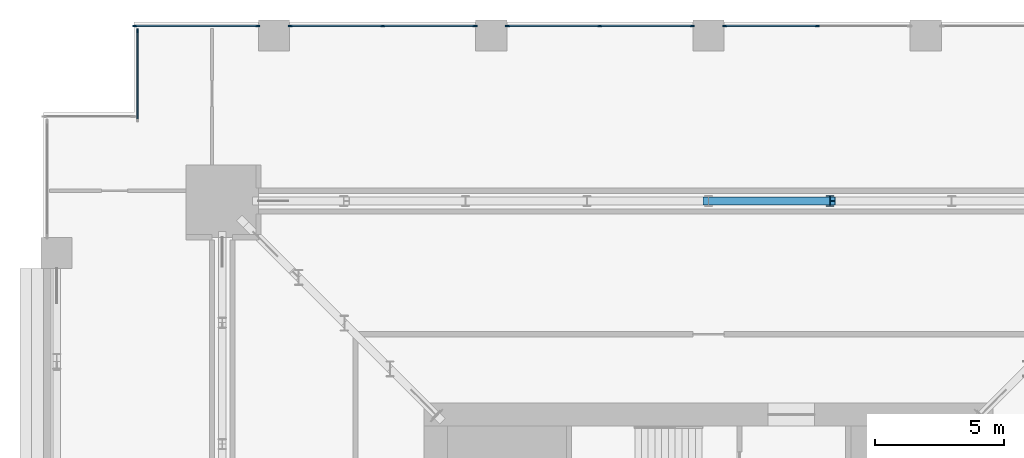
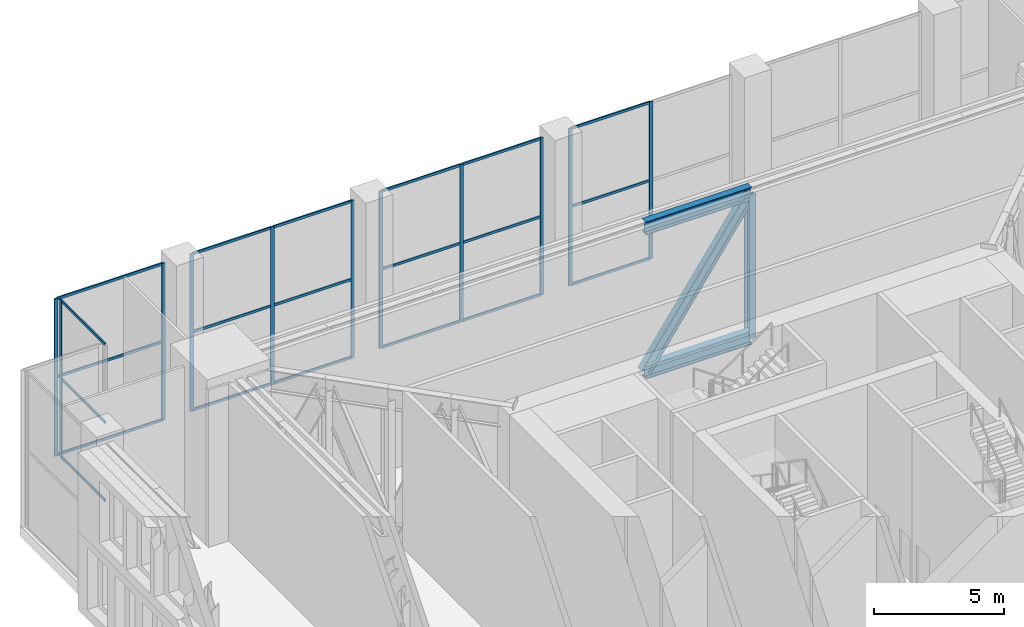
# One storey, part 8 of 21: 36 members, 5 elements without a shape of their own.
"""IFC4 building model written with IfcOpenShell, lengths in metres."""

import ifcopenshell
import ifcopenshell.guid

model = None  # the IFC model being written
_history = None  # IfcOwnerHistory: only IFC2X3 demands one
_inside = {}  # id of a spatial element -> (the spatial element, [elements in it])
_under = {}  # id of a project, library or spatial element -> (it, [spatial elements below it])
_declared = {}  # id of a project -> (the project, [libraries it declares])
_typed = {}  # id of a type object -> (the type object, [elements of that type])
_made_of = {}  # id of a material, layer set ... -> (it, [elements and type objects made of it])


def new_model(schema):
    """Start an empty IFC model of exactly this schema.

    Asked for "IFC4X3", IfcOpenShell would pick the latest addendum, in which some entities
    have other attributes; the version numbers below select the first issue.
    IFC2X3 requires an IfcOwnerHistory on every rooted entity: one is made here for all.
    """
    global model, _history
    if schema == "IFC4X3":
        model = ifcopenshell.file(schema_version=(4, 3, 0, 0))
    else:
        model = ifcopenshell.file(schema=schema)
    _inside.clear()
    _under.clear()
    _declared.clear()
    _typed.clear()
    _made_of.clear()
    _history = None
    if model.schema == "IFC2X3":
        org = make("IfcOrganization", Name="unknown")
        user = make(
            "IfcPersonAndOrganization",
            ThePerson=make("IfcPerson", FamilyName="unknown"),
            TheOrganization=org,
        )
        app = make(
            "IfcApplication",
            ApplicationDeveloper=org,
            Version="unknown",
            ApplicationFullName="unknown",
            ApplicationIdentifier="unknown",
        )
        _history = make(
            "IfcOwnerHistory",
            OwningUser=user,
            OwningApplication=app,
            ChangeAction="ADDED",
            CreationDate=0,
        )
    return model


def make(cls, **values):
    """One entity of the class cls with the attributes given. An attribute that is None is left unset."""
    return model.create_entity(
        cls, **{name: value for name, value in values.items() if value is not None}
    )


def rooted(cls, **values):
    """An entity with a GlobalId (a new one), such as an element, a storey or a relation."""
    return make(cls, GlobalId=ifcopenshell.guid.new(), OwnerHistory=_history, **values)


def si_unit(unit_type, name, prefix=None):
    """IfcSIUnit, for example si_unit("LENGTHUNIT", "METRE", prefix="MILLI")."""
    return make("IfcSIUnit", UnitType=unit_type, Prefix=prefix, Name=name)


def assignment(units):
    """IfcUnitAssignment: the units of a project."""
    return None if units is None else make("IfcUnitAssignment", Units=units)


def point(xyz):
    """IfcCartesianPoint."""
    return None if xyz is None else make("IfcCartesianPoint", Coordinates=xyz)


def direction(xyz):
    """IfcDirection."""
    return None if xyz is None else make("IfcDirection", DirectionRatios=xyz)


def frame(location, z_axis=None, x_axis=None):
    """IfcAxis2Placement3D, a coordinate frame: its origin and axes. An axis left out is left unset."""
    return make(
        "IfcAxis2Placement3D",
        Location=point(location),
        Axis=direction(z_axis),
        RefDirection=direction(x_axis),
    )


def frame_2d(location, x_axis=None):
    """IfcAxis2Placement2D, a coordinate frame in the plane: its origin and x axis."""
    return make(
        "IfcAxis2Placement2D", Location=point(location), RefDirection=direction(x_axis)
    )


def origin():
    """The frame at (0, 0, 0) with its axes left unset."""
    return frame((0.0, 0.0, 0.0))


def origin_2d():
    """The frame at (0, 0) in the plane with its x axis left unset."""
    return frame_2d((0.0, 0.0))


def place(relative_to, where):
    """IfcLocalPlacement: puts the frame where relative to a parent placement (None: the world)."""
    return make(
        "IfcLocalPlacement", PlacementRelTo=relative_to, RelativePlacement=where
    )


def context(
    kind, dimensions, precision=None, world=None, true_north=None, identifier=None
):
    """IfcGeometricRepresentationContext, for example the 3D "Model" context."""
    return make(
        "IfcGeometricRepresentationContext",
        ContextIdentifier=identifier,
        ContextType=kind,
        CoordinateSpaceDimension=dimensions,
        Precision=precision,
        WorldCoordinateSystem=world,
        TrueNorth=true_north,
    )


def subcontext(parent, identifier, kind, view, scale=None):
    """IfcGeometricRepresentationSubContext, for example "Body" below "Model"."""
    return make(
        "IfcGeometricRepresentationSubContext",
        ContextIdentifier=identifier,
        ContextType=kind,
        ParentContext=parent,
        TargetScale=scale,
        TargetView=view,
    )


def project(units=None, contexts=None):
    """IfcProject with its units and contexts."""
    return rooted(
        "IfcProject",
        Name="project",
        RepresentationContexts=contexts,
        UnitsInContext=assignment(units),
    )


def spatial(cls, under=None, at=None, **own):
    """A site, building, storey or space (cls), placed at a placement, below another one or the project."""
    s = rooted(cls, ObjectPlacement=at, **own)
    if under is not None:
        _under.setdefault(under.id(), (under, []))[1].append(s)
    return s


def profile(cls, at=None, kind="AREA", **sizes):
    """A parametric profile (cls). Its sizes go by their IFC names, for example OverallWidth=200.0."""
    return make(cls, ProfileType=kind, Position=at, **sizes)


def rectangle(**sizes):
    """IfcRectangleProfileDef."""
    return profile("IfcRectangleProfileDef", **sizes)


def i_section(**sizes):
    """IfcIShapeProfileDef."""
    return profile("IfcIShapeProfileDef", **sizes)


def extrude(swept, where, along, depth):
    """IfcExtrudedAreaSolid: the profile swept, set in the frame where, extruded along a direction by depth."""
    return make(
        "IfcExtrudedAreaSolid",
        SweptArea=swept,
        Position=where,
        ExtrudedDirection=direction(along),
        Depth=depth,
    )


def shape(context_of_items, identifier, shape_type, items):
    """IfcShapeRepresentation: the items that make up one representation, for example the "Body"."""
    return make(
        "IfcShapeRepresentation",
        ContextOfItems=context_of_items,
        RepresentationIdentifier=identifier,
        RepresentationType=shape_type,
        Items=items,
    )


def material(Name=None, Category=None):
    """IfcMaterial."""
    return make("IfcMaterial", Name=Name, Category=Category)


def material_profile(
    of_material, cross_section, Name=None, Category=None, Priority=None
):
    """IfcMaterialProfile: a cross section and its material."""
    return make(
        "IfcMaterialProfile",
        Name=Name,
        Material=of_material,
        Profile=cross_section,
        Priority=Priority,
        Category=Category,
    )


def profile_set(profiles, Name=None, composite=None):
    """IfcMaterialProfileSet."""
    return make(
        "IfcMaterialProfileSet",
        Name=Name,
        MaterialProfiles=profiles,
        CompositeProfile=composite,
    )


def made_of(thing, what):
    """Note that an element or type object is made of a material, layer set ...; save() writes the relation."""
    if what is not None:
        _made_of.setdefault(what.id(), (what, []))[1].append(thing)
    return thing


def type_object(cls, material=None, **own):
    """A type object (cls), such as IfcWallType, which elements share."""
    return made_of(rooted(cls, **own), material)


def element(
    cls,
    number,
    at=None,
    inside=None,
    cuts=None,
    type_object=None,
    material=None,
    context=None,
    identifier="Body",
    shape_type=None,
    held_by="IfcProductDefinitionShape",
    body=None,
    shapes=None,
    **own,
):
    """One element of the class cls, such as IfcWall. Its Tag is "e" and its number.

    at: its placement. inside: the storey or other place that contains it. cuts: it is an
    opening in that element (IfcRelVoidsElement). A single representation is given by context,
    identifier, shape_type and body (its items); several are given by shapes. held_by: the class
    of the entity that holds the representations. save() writes the other relations.
    """
    e = rooted(cls, Tag="e%d" % number, ObjectPlacement=at, **own)
    if body is not None:
        shapes = [shape(context, identifier, shape_type, body)]
    if shapes is not None:
        e.Representation = make(held_by, Representations=shapes)
    if inside is not None:
        _inside.setdefault(inside.id(), (inside, []))[1].append(e)
    if cuts is not None:
        rooted(
            "IfcRelVoidsElement", RelatingBuildingElement=cuts, RelatedOpeningElement=e
        )
    if type_object is not None:
        _typed.setdefault(type_object.id(), (type_object, []))[1].append(e)
    return made_of(e, material)


def aggregate(whole, parts):
    """IfcRelAggregates: a whole, such as a stair, and the parts it consists of."""
    return rooted("IfcRelAggregates", RelatingObject=whole, RelatedObjects=parts)


def save(model, path):
    """Write the relations noted so far, then the file.

    IfcRelAggregates (storeys below a building ...), IfcRelContainedInSpatialStructure (elements
    in a storey), IfcRelDefinesByType, IfcRelAssociatesMaterial and IfcRelDeclares: one each for
    every whole, place, type object, material and project.
    """
    for whole, parts in _under.values():
        aggregate(whole, parts)
    for where, things in _inside.values():
        rooted(
            "IfcRelContainedInSpatialStructure",
            RelatedElements=things,
            RelatingStructure=where,
        )
    for kind, things in _typed.values():
        rooted("IfcRelDefinesByType", RelatedObjects=things, RelatingType=kind)
    for what, things in _made_of.values():
        rooted("IfcRelAssociatesMaterial", RelatedObjects=things, RelatingMaterial=what)
    for by, libraries in _declared.values():
        rooted("IfcRelDeclares", RelatingContext=by, RelatedDefinitions=libraries)
    model.write(path)


model = new_model("IFC4")

# Units and contexts
model_context = context("Model", 3, precision=1e-05, world=origin(), true_north=direction((0.0, 1.0)))
body_context = subcontext(model_context, "Body", "Model", "MODEL_VIEW")
ifc_project = project(units=[si_unit("LENGTHUNIT", "METRE"), si_unit("AREAUNIT", "SQUARE_METRE"), si_unit("VOLUMEUNIT", "CUBIC_METRE"), si_unit("PLANEANGLEUNIT", "RADIAN"), si_unit("MASSUNIT", "GRAM", prefix="KILO")], contexts=[model_context])

# Site, building, storey
site_placement = place(None, origin())
site = spatial("IfcSite", under=ifc_project, at=site_placement, CompositionType="ELEMENT")
building_placement = place(site_placement, origin())
building = spatial("IfcBuilding", under=site, at=building_placement, Name="Khepri Terraces", CompositionType="ELEMENT")
storey_placement = place(building_placement, frame((0.0, 0.0, 126.0)))
storey = spatial("IfcBuildingStorey", under=building, at=storey_placement, Name="L30", CompositionType="ELEMENT", Elevation=126.0)

# Members
ifc_material_1 = material(Name="Steel S355", Category="steel")
ifc_material_profile_1 = material_profile(ifc_material_1, i_section(OverallWidth=0.304931640625, OverallDepth=0.6201171875, WebThickness=0.02099609375, FlangeThickness=0.0400390625, FilletRadius=0.027099609375, at=origin_2d()), Name="Steel S355", Category="steel")
ifc_profile_set_1 = profile_set([ifc_material_profile_1], Name="Steel S355")
member_type_1 = type_object("IfcMemberType", Name="Belt truss chord HEM 600", PredefinedType="CHORD", material=ifc_profile_set_1)
for number, where, z_axis, x_axis, name in (
    (1, (4.699951171875, 18.800048828125, 0.31005859375), (-1.0, 0.0, 0.0), (0.0, -1.0, 0.0), "Belt truss chord BT-30-N bottom 4"),
    (2, (4.699951171875, 18.800048828125, 7.070068359375), (-1.0, 0.0, 0.0), (0.0, -1.0, 0.0), "Belt truss chord BT-30-N top 4"),
):
    element("IfcMember", number, at=place(storey_placement, frame(where, z_axis=z_axis, x_axis=x_axis)), inside=storey, type_object=member_type_1, Name=name, PredefinedType="CHORD", context=body_context, shape_type="SweptSolid", body=[
        extrude(i_section(OverallWidth=0.304931640625, OverallDepth=0.6201171875, WebThickness=0.02099609375, FlangeThickness=0.0400390625, FilletRadius=0.027099609375, at=origin_2d()), origin(), (0.0, 0.0, 1.0), 4.699951171875),
    ])
ifc_material_profile_2 = material_profile(ifc_material_1, i_section(OverallWidth=0.300048828125, OverallDepth=0.5, WebThickness=0.014404296875, FlangeThickness=0.028076171875, FilletRadius=0.027099609375, at=origin_2d()), Name="Steel S355", Category="steel")
ifc_profile_set_2 = profile_set([ifc_material_profile_2], Name="Steel S355")
member_type_2 = type_object("IfcMemberType", Name="Belt truss diagonal HEB 500", PredefinedType="BRACE", material=ifc_profile_set_2)
member_1_placement = place(storey_placement, frame((4.699951171875, 18.800048828125, 7.070068359375), z_axis=(-0.570846397071, 0.0, -0.82105687437), x_axis=(0.0, -1.0, 0.0)))
element("IfcMember", 3, at=member_1_placement, inside=storey, type_object=member_type_2, Name="Belt truss diagonal BT-30-N 4", PredefinedType="BRACE", context=body_context, shape_type="SweptSolid", body=[
    extrude(i_section(OverallWidth=0.300048828125, OverallDepth=0.5, WebThickness=0.014404296875, FlangeThickness=0.028076171875, FilletRadius=0.027099609375, at=origin_2d()), origin(), (0.0, 0.0, 1.0), 8.2333984375),
])
ifc_material_profile_3 = material_profile(ifc_material_1, i_section(OverallWidth=0.300048828125, OverallDepth=0.39990234375, WebThickness=0.013427734375, FlangeThickness=0.02392578125, FilletRadius=0.027099609375, at=origin_2d()), Name="Steel S355", Category="steel")
ifc_profile_set_3 = profile_set([ifc_material_profile_3], Name="Steel S355")
member_type_3 = type_object("IfcMemberType", Name="Belt truss post HEB 400", PredefinedType="POST", material=ifc_profile_set_3)
member_2_placement = place(storey_placement, frame((4.699951171875, 18.800048828125, 0.31005859375), z_axis=(0.0, 0.0, 1.0), x_axis=(1.0, 0.0, 0.0)))
element("IfcMember", 4, at=member_2_placement, inside=storey, type_object=member_type_3, Name="Belt truss post BT-30-N 3", PredefinedType="POST", context=body_context, shape_type="SweptSolid", body=[
    extrude(i_section(OverallWidth=0.300048828125, OverallDepth=0.39990234375, WebThickness=0.013427734375, FlangeThickness=0.02392578125, FilletRadius=0.027099609375, at=origin_2d()), origin(), (0.0, 0.0, 1.0), 6.760009765625),
])

# Curtain wall, members
ifc_material_2 = material(Name="Anodised aluminium bronze curtain wall", Category="aluminium")
curtain_wall_type = type_object("IfcCurtainWallType", Name="CW-SYS3-SKY", PredefinedType="NOTDEFINED", material=ifc_material_2)
curtain_wall_1_placement = place(storey_placement, origin())
curtain_wall_1 = element("IfcCurtainWall", 5, at=curtain_wall_1_placement, inside=storey, type_object=curtain_wall_type, Name="Curtain wall CW3 L30 N", PredefinedType="NOTDEFINED")
ifc_material_3 = material(Name="Anodised aluminium bronze", Category="aluminium")
ifc_material_profile_4 = material_profile(ifc_material_3, rectangle(XDim=0.06005859375, YDim=0.159912109375, at=origin_2d()), Name="Anodised aluminium bronze", Category="aluminium")
ifc_profile_set_4 = profile_set([ifc_material_profile_4], Name="Anodised aluminium bronze")
member_type_4 = type_object("IfcMemberType", Name="CW-MULLION-60x160", PredefinedType="MULLION", material=ifc_profile_set_4)
member_3_placement = place(storey_placement, frame((4.199951171875, 25.570068359375, 0.0), z_axis=(0.0, 0.0, 1.0), x_axis=(0.0, -1.0, 0.0)))
member_3 = element("IfcMember", 6, at=member_3_placement, type_object=member_type_4, Name="CW3 mullion 2", PredefinedType="MULLION", context=body_context, shape_type="SweptSolid", body=[
    extrude(rectangle(XDim=0.06005859375, YDim=0.159912109375, at=origin_2d()), origin(), (0.0, 0.0, 1.0), 7.3798828125),
])
member_4_placement = place(storey_placement, frame((0.6298828125, 25.570068359375, 0.0), z_axis=(0.0, 0.0, 1.0), x_axis=(0.0, -1.0, 0.0)))
member_4 = element("IfcMember", 7, at=member_4_placement, type_object=member_type_4, Name="CW3 mullion 3", PredefinedType="MULLION", context=body_context, shape_type="SweptSolid", body=[
    extrude(rectangle(XDim=0.06005859375, YDim=0.159912109375, at=origin_2d()), origin(), (0.0, 0.0, 1.0), 7.3798828125),
])

curtain_wall_2_placement = place(storey_placement, origin())
curtain_wall_2 = element("IfcCurtainWall", 8, at=curtain_wall_2_placement, inside=storey, type_object=curtain_wall_type, Name="Curtain wall CW3 L30 N", PredefinedType="NOTDEFINED")
member_5_placement = place(storey_placement, frame((-0.6298828125, 25.570068359375, 0.0), z_axis=(0.0, 0.0, 1.0), x_axis=(0.0, -1.0, 0.0)))
member_5 = element("IfcMember", 9, at=member_5_placement, type_object=member_type_4, Name="CW3 mullion 1", PredefinedType="MULLION", context=body_context, shape_type="SweptSolid", body=[
    extrude(rectangle(XDim=0.06005859375, YDim=0.159912109375, at=origin_2d()), origin(), (0.0, 0.0, 1.0), 7.3798828125),
])
member_6_placement = place(storey_placement, frame((-4.199951171875, 25.570068359375, 0.0), z_axis=(0.0, 0.0, 1.0), x_axis=(0.0, -1.0, 0.0)))
member_6 = element("IfcMember", 10, at=member_6_placement, type_object=member_type_4, Name="CW3 mullion 2", PredefinedType="MULLION", context=body_context, shape_type="SweptSolid", body=[
    extrude(rectangle(XDim=0.06005859375, YDim=0.159912109375, at=origin_2d()), origin(), (0.0, 0.0, 1.0), 7.3798828125),
])
member_7_placement = place(storey_placement, frame((-7.77001953125, 25.570068359375, 0.0), z_axis=(0.0, 0.0, 1.0), x_axis=(0.0, -1.0, 0.0)))
member_7 = element("IfcMember", 11, at=member_7_placement, type_object=member_type_4, Name="CW3 mullion 3", PredefinedType="MULLION", context=body_context, shape_type="SweptSolid", body=[
    extrude(rectangle(XDim=0.06005859375, YDim=0.159912109375, at=origin_2d()), origin(), (0.0, 0.0, 1.0), 7.3798828125),
])

curtain_wall_3_placement = place(storey_placement, origin())
curtain_wall_3 = element("IfcCurtainWall", 12, at=curtain_wall_3_placement, inside=storey, type_object=curtain_wall_type, Name="Curtain wall CW3 L30 N", PredefinedType="NOTDEFINED")
member_8_placement = place(storey_placement, frame((-9.030029296875, 25.570068359375, 0.0), z_axis=(0.0, 0.0, 1.0), x_axis=(0.0, -1.0, 0.0)))
member_8 = element("IfcMember", 13, at=member_8_placement, type_object=member_type_4, Name="CW3 mullion 1", PredefinedType="MULLION", context=body_context, shape_type="SweptSolid", body=[
    extrude(rectangle(XDim=0.06005859375, YDim=0.159912109375, at=origin_2d()), origin(), (0.0, 0.0, 1.0), 7.3798828125),
])
member_9_placement = place(storey_placement, frame((-12.60009765625, 25.570068359375, 0.0), z_axis=(0.0, 0.0, 1.0), x_axis=(0.0, -1.0, 0.0)))
member_9 = element("IfcMember", 14, at=member_9_placement, type_object=member_type_4, Name="CW3 mullion 2", PredefinedType="MULLION", context=body_context, shape_type="SweptSolid", body=[
    extrude(rectangle(XDim=0.06005859375, YDim=0.159912109375, at=origin_2d()), origin(), (0.0, 0.0, 1.0), 7.3798828125),
])
member_10_placement = place(storey_placement, frame((-16.169921875, 25.570068359375, 0.0), z_axis=(0.0, 0.0, 1.0), x_axis=(0.0, -1.0, 0.0)))
member_10 = element("IfcMember", 15, at=member_10_placement, type_object=member_type_4, Name="CW3 mullion 3", PredefinedType="MULLION", context=body_context, shape_type="SweptSolid", body=[
    extrude(rectangle(XDim=0.06005859375, YDim=0.159912109375, at=origin_2d()), origin(), (0.0, 0.0, 1.0), 7.3798828125),
])

curtain_wall_4_placement = place(storey_placement, origin())
curtain_wall_4 = element("IfcCurtainWall", 16, at=curtain_wall_4_placement, inside=storey, type_object=curtain_wall_type, Name="Curtain wall CW3 L30 N", PredefinedType="NOTDEFINED")
member_11_placement = place(storey_placement, frame((-17.429931640625, 25.570068359375, 0.0), z_axis=(0.0, 0.0, 1.0), x_axis=(0.0, -1.0, 0.0)))
member_11 = element("IfcMember", 17, at=member_11_placement, type_object=member_type_4, Name="CW3 mullion 1", PredefinedType="MULLION", context=body_context, shape_type="SweptSolid", body=[
    extrude(rectangle(XDim=0.06005859375, YDim=0.159912109375, at=origin_2d()), origin(), (0.0, 0.0, 1.0), 7.3798828125),
])
member_12_placement = place(storey_placement, frame((-22.18994140625, 25.570068359375, 0.0), z_axis=(0.0, 0.0, 1.0), x_axis=(0.0, -1.0, 0.0)))
member_12 = element("IfcMember", 18, at=member_12_placement, type_object=member_type_4, Name="CW3 mullion 2", PredefinedType="MULLION", context=body_context, shape_type="SweptSolid", body=[
    extrude(rectangle(XDim=0.06005859375, YDim=0.159912109375, at=origin_2d()), origin(), (0.0, 0.0, 1.0), 7.3798828125),
])

# Curtain wall, member
curtain_wall_5_placement = place(storey_placement, origin())
curtain_wall_5 = element("IfcCurtainWall", 19, at=curtain_wall_5_placement, inside=storey, type_object=curtain_wall_type, Name="Curtain wall CW3 L30 W", PredefinedType="NOTDEFINED")
member_13_placement = place(storey_placement, frame((-22.070068359375, 25.389892578125, 0.0), z_axis=(0.0, 0.0, 1.0), x_axis=(1.0, 0.0, 0.0)))
member_13 = element("IfcMember", 20, at=member_13_placement, type_object=member_type_4, Name="CW3 mullion 1", PredefinedType="MULLION", context=body_context, shape_type="SweptSolid", body=[
    extrude(rectangle(XDim=0.06005859375, YDim=0.159912109375, at=origin_2d()), origin(), (0.0, 0.0, 1.0), 7.3798828125),
])

# Member
ifc_material_profile_5 = material_profile(ifc_material_3, rectangle(XDim=0.06005859375, YDim=0.1201171875, at=origin_2d()), Name="Anodised aluminium bronze", Category="aluminium")
ifc_profile_set_5 = profile_set([ifc_material_profile_5], Name="Anodised aluminium bronze")
member_type_5 = type_object("IfcMemberType", Name="CW-TRANSOM-60x120", PredefinedType="USERDEFINED", material=ifc_profile_set_5)
member_14_placement = place(storey_placement, frame((4.169921875, 25.570068359375, 0.030029296875), z_axis=(-1.0, 0.0, 0.0), x_axis=(0.0, -1.0, 0.0)))
member_14 = element("IfcMember", 21, at=member_14_placement, type_object=member_type_5, Name="CW3 transom 2.1", ObjectType="TRANSOM", PredefinedType="USERDEFINED", context=body_context, shape_type="SweptSolid", body=[
    extrude(rectangle(XDim=0.06005859375, YDim=0.1201171875, at=origin_2d()), origin(), (0.0, 0.0, 1.0), 3.510009765625),
])

member_15_placement = place(storey_placement, frame((4.169921875, 25.570068359375, 3.68994140625), z_axis=(-1.0, 0.0, 0.0), x_axis=(0.0, -1.0, 0.0)))
member_15 = element("IfcMember", 22, at=member_15_placement, type_object=member_type_5, Name="CW3 transom 2.2", ObjectType="TRANSOM", PredefinedType="USERDEFINED", context=body_context, shape_type="SweptSolid", body=[
    extrude(rectangle(XDim=0.06005859375, YDim=0.1201171875, at=origin_2d()), origin(), (0.0, 0.0, 1.0), 3.510009765625),
])

member_16_placement = place(storey_placement, frame((4.169921875, 25.570068359375, 7.35009765625), z_axis=(-1.0, 0.0, 0.0), x_axis=(0.0, -1.0, 0.0)))
member_16 = element("IfcMember", 23, at=member_16_placement, type_object=member_type_5, Name="CW3 transom 2.3", ObjectType="TRANSOM", PredefinedType="USERDEFINED", context=body_context, shape_type="SweptSolid", body=[
    extrude(rectangle(XDim=0.06005859375, YDim=0.1201171875, at=origin_2d()), origin(), (0.0, 0.0, 1.0), 3.510009765625),
])

aggregate(curtain_wall_1, [member_3, member_4, member_14, member_15, member_16])

member_17_placement = place(storey_placement, frame((-0.659912109375, 25.570068359375, 0.030029296875), z_axis=(-1.0, 0.0, 0.0), x_axis=(0.0, -1.0, 0.0)))
member_17 = element("IfcMember", 24, at=member_17_placement, type_object=member_type_5, Name="CW3 transom 1.1", ObjectType="TRANSOM", PredefinedType="USERDEFINED", context=body_context, shape_type="SweptSolid", body=[
    extrude(rectangle(XDim=0.06005859375, YDim=0.1201171875, at=origin_2d()), origin(), (0.0, 0.0, 1.0), 3.510009765625),
])

member_18_placement = place(storey_placement, frame((-0.659912109375, 25.570068359375, 3.68994140625), z_axis=(-1.0, 0.0, 0.0), x_axis=(0.0, -1.0, 0.0)))
member_18 = element("IfcMember", 25, at=member_18_placement, type_object=member_type_5, Name="CW3 transom 1.2", ObjectType="TRANSOM", PredefinedType="USERDEFINED", context=body_context, shape_type="SweptSolid", body=[
    extrude(rectangle(XDim=0.06005859375, YDim=0.1201171875, at=origin_2d()), origin(), (0.0, 0.0, 1.0), 3.510009765625),
])

member_19_placement = place(storey_placement, frame((-0.659912109375, 25.570068359375, 7.35009765625), z_axis=(-1.0, 0.0, 0.0), x_axis=(0.0, -1.0, 0.0)))
member_19 = element("IfcMember", 26, at=member_19_placement, type_object=member_type_5, Name="CW3 transom 1.3", ObjectType="TRANSOM", PredefinedType="USERDEFINED", context=body_context, shape_type="SweptSolid", body=[
    extrude(rectangle(XDim=0.06005859375, YDim=0.1201171875, at=origin_2d()), origin(), (0.0, 0.0, 1.0), 3.510009765625),
])

member_20_placement = place(storey_placement, frame((-4.22998046875, 25.570068359375, 0.030029296875), z_axis=(-1.0, 0.0, 0.0), x_axis=(0.0, -1.0, 0.0)))
member_20 = element("IfcMember", 27, at=member_20_placement, type_object=member_type_5, Name="CW3 transom 2.1", ObjectType="TRANSOM", PredefinedType="USERDEFINED", context=body_context, shape_type="SweptSolid", body=[
    extrude(rectangle(XDim=0.06005859375, YDim=0.1201171875, at=origin_2d()), origin(), (0.0, 0.0, 1.0), 3.510009765625),
])

member_21_placement = place(storey_placement, frame((-4.22998046875, 25.570068359375, 3.68994140625), z_axis=(-1.0, 0.0, 0.0), x_axis=(0.0, -1.0, 0.0)))
member_21 = element("IfcMember", 28, at=member_21_placement, type_object=member_type_5, Name="CW3 transom 2.2", ObjectType="TRANSOM", PredefinedType="USERDEFINED", context=body_context, shape_type="SweptSolid", body=[
    extrude(rectangle(XDim=0.06005859375, YDim=0.1201171875, at=origin_2d()), origin(), (0.0, 0.0, 1.0), 3.510009765625),
])

member_22_placement = place(storey_placement, frame((-4.22998046875, 25.570068359375, 7.35009765625), z_axis=(-1.0, 0.0, 0.0), x_axis=(0.0, -1.0, 0.0)))
member_22 = element("IfcMember", 29, at=member_22_placement, type_object=member_type_5, Name="CW3 transom 2.3", ObjectType="TRANSOM", PredefinedType="USERDEFINED", context=body_context, shape_type="SweptSolid", body=[
    extrude(rectangle(XDim=0.06005859375, YDim=0.1201171875, at=origin_2d()), origin(), (0.0, 0.0, 1.0), 3.510009765625),
])

aggregate(curtain_wall_2, [member_5, member_6, member_7, member_17, member_18, member_19, member_20, member_21, member_22])

member_23_placement = place(storey_placement, frame((-9.06005859375, 25.570068359375, 0.030029296875), z_axis=(-1.0, 0.0, 0.0), x_axis=(0.0, -1.0, 0.0)))
member_23 = element("IfcMember", 30, at=member_23_placement, type_object=member_type_5, Name="CW3 transom 1.1", ObjectType="TRANSOM", PredefinedType="USERDEFINED", context=body_context, shape_type="SweptSolid", body=[
    extrude(rectangle(XDim=0.06005859375, YDim=0.1201171875, at=origin_2d()), origin(), (0.0, 0.0, 1.0), 3.510009765625),
])

member_24_placement = place(storey_placement, frame((-9.06005859375, 25.570068359375, 3.68994140625), z_axis=(-1.0, 0.0, 0.0), x_axis=(0.0, -1.0, 0.0)))
member_24 = element("IfcMember", 31, at=member_24_placement, type_object=member_type_5, Name="CW3 transom 1.2", ObjectType="TRANSOM", PredefinedType="USERDEFINED", context=body_context, shape_type="SweptSolid", body=[
    extrude(rectangle(XDim=0.06005859375, YDim=0.1201171875, at=origin_2d()), origin(), (0.0, 0.0, 1.0), 3.510009765625),
])

member_25_placement = place(storey_placement, frame((-9.06005859375, 25.570068359375, 7.35009765625), z_axis=(-1.0, 0.0, 0.0), x_axis=(0.0, -1.0, 0.0)))
member_25 = element("IfcMember", 32, at=member_25_placement, type_object=member_type_5, Name="CW3 transom 1.3", ObjectType="TRANSOM", PredefinedType="USERDEFINED", context=body_context, shape_type="SweptSolid", body=[
    extrude(rectangle(XDim=0.06005859375, YDim=0.1201171875, at=origin_2d()), origin(), (0.0, 0.0, 1.0), 3.510009765625),
])

member_26_placement = place(storey_placement, frame((-12.6298828125, 25.570068359375, 0.030029296875), z_axis=(-1.0, 0.0, 0.0), x_axis=(0.0, -1.0, 0.0)))
member_26 = element("IfcMember", 33, at=member_26_placement, type_object=member_type_5, Name="CW3 transom 2.1", ObjectType="TRANSOM", PredefinedType="USERDEFINED", context=body_context, shape_type="SweptSolid", body=[
    extrude(rectangle(XDim=0.06005859375, YDim=0.1201171875, at=origin_2d()), origin(), (0.0, 0.0, 1.0), 3.510009765625),
])

member_27_placement = place(storey_placement, frame((-12.6298828125, 25.570068359375, 3.68994140625), z_axis=(-1.0, 0.0, 0.0), x_axis=(0.0, -1.0, 0.0)))
member_27 = element("IfcMember", 34, at=member_27_placement, type_object=member_type_5, Name="CW3 transom 2.2", ObjectType="TRANSOM", PredefinedType="USERDEFINED", context=body_context, shape_type="SweptSolid", body=[
    extrude(rectangle(XDim=0.06005859375, YDim=0.1201171875, at=origin_2d()), origin(), (0.0, 0.0, 1.0), 3.510009765625),
])

member_28_placement = place(storey_placement, frame((-12.6298828125, 25.570068359375, 7.35009765625), z_axis=(-1.0, 0.0, 0.0), x_axis=(0.0, -1.0, 0.0)))
member_28 = element("IfcMember", 35, at=member_28_placement, type_object=member_type_5, Name="CW3 transom 2.3", ObjectType="TRANSOM", PredefinedType="USERDEFINED", context=body_context, shape_type="SweptSolid", body=[
    extrude(rectangle(XDim=0.06005859375, YDim=0.1201171875, at=origin_2d()), origin(), (0.0, 0.0, 1.0), 3.510009765625),
])

aggregate(curtain_wall_3, [member_8, member_9, member_10, member_23, member_24, member_25, member_26, member_27, member_28])

member_29_placement = place(storey_placement, frame((-17.4599609375, 25.570068359375, 0.030029296875), z_axis=(-1.0, 0.0, 0.0), x_axis=(0.0, -1.0, 0.0)))
member_29 = element("IfcMember", 36, at=member_29_placement, type_object=member_type_5, Name="CW3 transom 1.1", ObjectType="TRANSOM", PredefinedType="USERDEFINED", context=body_context, shape_type="SweptSolid", body=[
    extrude(rectangle(XDim=0.06005859375, YDim=0.1201171875, at=origin_2d()), origin(), (0.0, 0.0, 1.0), 4.699951171875),
])

member_30_placement = place(storey_placement, frame((-17.4599609375, 25.570068359375, 3.68994140625), z_axis=(-1.0, 0.0, 0.0), x_axis=(0.0, -1.0, 0.0)))
member_30 = element("IfcMember", 37, at=member_30_placement, type_object=member_type_5, Name="CW3 transom 1.2", ObjectType="TRANSOM", PredefinedType="USERDEFINED", context=body_context, shape_type="SweptSolid", body=[
    extrude(rectangle(XDim=0.06005859375, YDim=0.1201171875, at=origin_2d()), origin(), (0.0, 0.0, 1.0), 4.699951171875),
])

member_31_placement = place(storey_placement, frame((-17.4599609375, 25.570068359375, 7.35009765625), z_axis=(-1.0, 0.0, 0.0), x_axis=(0.0, -1.0, 0.0)))
member_31 = element("IfcMember", 38, at=member_31_placement, type_object=member_type_5, Name="CW3 transom 1.3", ObjectType="TRANSOM", PredefinedType="USERDEFINED", context=body_context, shape_type="SweptSolid", body=[
    extrude(rectangle(XDim=0.06005859375, YDim=0.1201171875, at=origin_2d()), origin(), (0.0, 0.0, 1.0), 4.699951171875),
])

aggregate(curtain_wall_4, [member_11, member_12, member_29, member_30, member_31])

member_32_placement = place(storey_placement, frame((-22.070068359375, 25.360107421875, 0.030029296875), z_axis=(0.0, -1.0, 0.0), x_axis=(1.0, 0.0, 0.0)))
member_32 = element("IfcMember", 39, at=member_32_placement, type_object=member_type_5, Name="CW3 transom 1.1", ObjectType="TRANSOM", PredefinedType="USERDEFINED", context=body_context, shape_type="SweptSolid", body=[
    extrude(rectangle(XDim=0.06005859375, YDim=0.1201171875, at=origin_2d()), origin(), (0.0, 0.0, 1.0), 3.380126953125),
])

member_33_placement = place(storey_placement, frame((-22.070068359375, 25.360107421875, 3.68994140625), z_axis=(0.0, -1.0, 0.0), x_axis=(1.0, 0.0, 0.0)))
member_33 = element("IfcMember", 40, at=member_33_placement, type_object=member_type_5, Name="CW3 transom 1.2", ObjectType="TRANSOM", PredefinedType="USERDEFINED", context=body_context, shape_type="SweptSolid", body=[
    extrude(rectangle(XDim=0.06005859375, YDim=0.1201171875, at=origin_2d()), origin(), (0.0, 0.0, 1.0), 3.380126953125),
])

member_34_placement = place(storey_placement, frame((-22.070068359375, 25.360107421875, 7.35009765625), z_axis=(0.0, -1.0, 0.0), x_axis=(1.0, 0.0, 0.0)))
member_34 = element("IfcMember", 41, at=member_34_placement, type_object=member_type_5, Name="CW3 transom 1.3", ObjectType="TRANSOM", PredefinedType="USERDEFINED", context=body_context, shape_type="SweptSolid", body=[
    extrude(rectangle(XDim=0.06005859375, YDim=0.1201171875, at=origin_2d()), origin(), (0.0, 0.0, 1.0), 3.380126953125),
])

aggregate(curtain_wall_5, [member_13, member_32, member_33, member_34])

save(model, "model.ifc")
